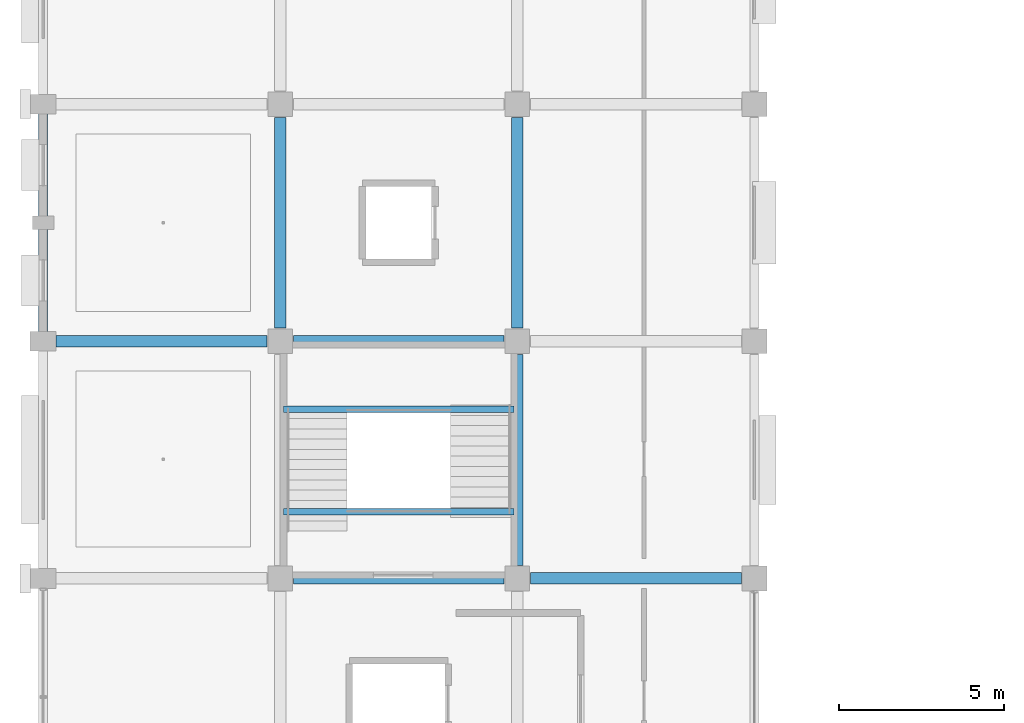
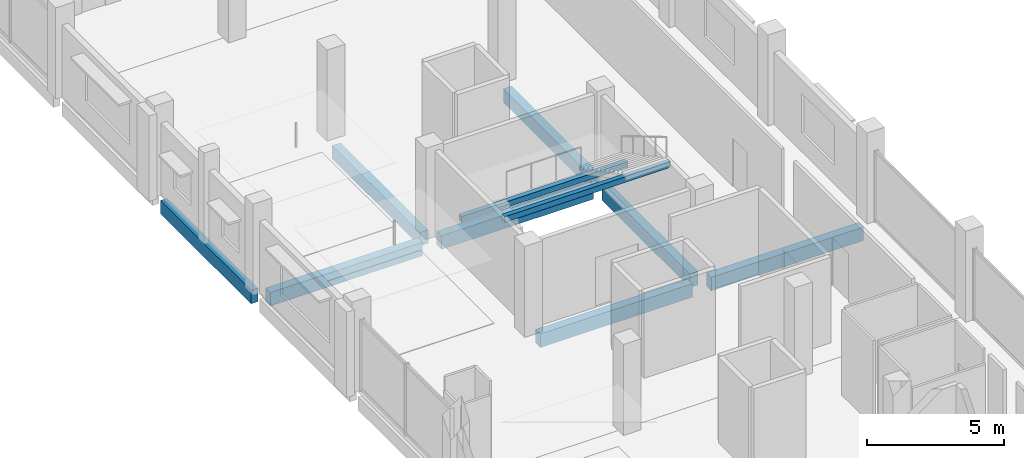
# One storey, part 12 of 91: 10 beams.
"""IFC4 building model written with IfcOpenShell, lengths in metres."""

from ifc_helpers import new_model, si_unit, direction, frame, origin, origin_2d, place, context, subcontext, project, spatial, rectangle, extrude, material, material_profile, profile_set, type_object, element, save


model = new_model("IFC4")

# Units and contexts
model_context = context("Model", 3, precision=1e-05, world=origin(), true_north=direction((0.0, 1.0)))
body_context = subcontext(model_context, "Body", "Model", "MODEL_VIEW")
ifc_project = project(units=[si_unit("LENGTHUNIT", "METRE"), si_unit("AREAUNIT", "SQUARE_METRE"), si_unit("VOLUMEUNIT", "CUBIC_METRE"), si_unit("PLANEANGLEUNIT", "RADIAN"), si_unit("MASSUNIT", "GRAM", prefix="KILO")], contexts=[model_context])

# Site, building, storey
site_placement = place(None, origin())
site = spatial("IfcSite", under=ifc_project, at=site_placement, CompositionType="ELEMENT")
building_placement = place(site_placement, origin())
building = spatial("IfcBuilding", under=site, at=building_placement, Name="Kangsadwip Square Police Headquarters", CompositionType="ELEMENT")
storey_placement = place(building_placement, frame((0.0, 0.0, 13.5)))
storey = spatial("IfcBuildingStorey", under=building, at=storey_placement, Name="L03", CompositionType="ELEMENT", Elevation=13.5)

# Beams
ifc_material_1 = material(Name="Concrete M35 (35 MPa)", Category="concrete")
ifc_material_profile_1 = material_profile(ifc_material_1, rectangle(XDim=0.35009765625, YDim=0.60009765625, at=origin_2d()), Name="RC BM 600X350")
ifc_profile_set_1 = profile_set([ifc_material_profile_1], Name="Concrete M35 (35 MPa)")
beam_type_1 = type_object("IfcBeamType", Name="RcBeam600x350", PredefinedType="BEAM", material=ifc_profile_set_1)
for number, where, z_axis, x_axis, name in (
    (1, (7.60009765625, 72.0, -0.5400390625), (1.0, 0.0, 0.0), (0.0, 1.0, 0.0), "Beam BM-L03-X-01-10"),
    (2, (14.800048828125, 72.0, -0.5400390625), (1.0, 0.0, 0.0), (0.0, 1.0, 0.0), "Beam BM-L03-X-02-10"),
):
    element("IfcBeam", number, at=place(storey_placement, frame(where, z_axis=z_axis, x_axis=x_axis)), inside=storey, type_object=beam_type_1, Name=name, PredefinedType="BEAM", context=body_context, shape_type="SweptSolid", body=[
        extrude(rectangle(XDim=0.35009765625, YDim=0.60009765625, at=origin_2d()), origin(), (0.0, 0.0, 1.0), 6.39990234375),
    ])
beam_1_placement = place(storey_placement, frame((0.39990234375, 79.199951171875, -0.5400390625), z_axis=(1.0, 0.0, 0.0), x_axis=(0.0, 1.0, 0.0)))
element("IfcBeam", 3, at=beam_1_placement, inside=storey, type_object=beam_type_1, Name="Beam BM-L03-X-00-11", PredefinedType="BEAM", context=body_context, shape_type="SweptSolid", body=[
    extrude(rectangle(XDim=0.35009765625, YDim=0.60009765625, at=origin_2d()), origin(), (0.0, 0.0, 1.0), 6.400146484375),
])
for number, where, z_axis, x_axis, name in (
    (4, (7.60009765625, 79.199951171875, -0.5400390625), (1.0, 0.0, 0.0), (0.0, 1.0, 0.0), "Beam BM-L03-X-01-11"),
    (5, (7.199951171875, 79.60009765625, -0.5400390625), (0.0, 1.0, 0.0), (-1.0, 0.0, 0.0), "Beam BM-L03-Y-01-11"),
):
    element("IfcBeam", number, at=place(storey_placement, frame(where, z_axis=z_axis, x_axis=x_axis)), inside=storey, type_object=beam_type_1, Name=name, PredefinedType="BEAM", context=body_context, shape_type="SweptSolid", body=[
        extrude(rectangle(XDim=0.35009765625, YDim=0.60009765625, at=origin_2d()), origin(), (0.0, 0.0, 1.0), 6.39990234375),
    ])
beam_2_placement = place(storey_placement, frame((14.39990234375, 72.39990234375, -0.5400390625), z_axis=(0.0, 1.0, 0.0), x_axis=(-1.0, 0.0, 0.0)))
element("IfcBeam", 6, at=beam_2_placement, inside=storey, type_object=beam_type_1, Name="Beam BM-L03-Y-02-10", PredefinedType="BEAM", context=body_context, shape_type="SweptSolid", body=[
    extrude(rectangle(XDim=0.35009765625, YDim=0.60009765625, at=origin_2d()), origin(), (0.0, 0.0, 1.0), 6.400146484375),
])
beam_3_placement = place(storey_placement, frame((14.39990234375, 79.60009765625, -0.5400390625), z_axis=(0.0, 1.0, 0.0), x_axis=(-1.0, 0.0, 0.0)))
element("IfcBeam", 7, at=beam_3_placement, inside=storey, type_object=beam_type_1, Name="Beam BM-L03-Y-02-11", PredefinedType="BEAM", context=body_context, shape_type="SweptSolid", body=[
    extrude(rectangle(XDim=0.35009765625, YDim=0.60009765625, at=origin_2d()), origin(), (0.0, 0.0, 1.0), 6.39990234375),
])
ifc_material_2 = material(Name="Concrete M30 (30 MPa)", Category="concrete")
ifc_material_profile_2 = material_profile(ifc_material_2, rectangle(XDim=0.199951171875, YDim=0.25, at=origin_2d()), Name="RC LNT 250X200")
ifc_profile_set_2 = profile_set([ifc_material_profile_2], Name="Concrete M30 (30 MPa)")
beam_type_2 = type_object("IfcBeamType", Name="RcLintel250x200", PredefinedType="LINTEL", material=ifc_profile_set_2)
for number, where, z_axis, x_axis, name in (
    (8, (7.300048828125, 77.139892578125, 1.801025390625), (1.0, 0.0, 0.0), (0.0, 1.0, 0.0), "Stair Carriage and Landing Beam BM-ST-L03-029"),
    (9, (7.300048828125, 74.02001953125, 3.68505859375), (1.0, 0.0, 0.0), (0.0, 1.0, 0.0), "Stair Carriage and Landing Beam BM-ST-L03-030"),
):
    element("IfcBeam", number, at=place(storey_placement, frame(where, z_axis=z_axis, x_axis=x_axis)), inside=storey, type_object=beam_type_2, Name=name, PredefinedType="BEAM", context=body_context, shape_type="SweptSolid", body=[
        extrude(rectangle(XDim=0.199951171875, YDim=0.25, at=origin_2d()), origin(), (0.0, 0.0, 1.0), 7.0),
    ])
ifc_material_3 = material(Name="Concrete M40 (40 MPa)", Category="concrete")
ifc_material_profile_3 = material_profile(ifc_material_3, rectangle(XDim=0.280029296875, YDim=0.60009765625, at=origin_2d()), Name="RC SPN 600X280")
ifc_profile_set_3 = profile_set([ifc_material_profile_3], Name="Concrete M40 (40 MPa)")
beam_type_3 = type_object("IfcBeamType", Name="RcSpandrel600x280", PredefinedType="SPANDREL", material=ifc_profile_set_3)
beam_4_placement = place(storey_placement, frame((0.0, 79.5, -0.5400390625), z_axis=(0.0, 1.0, 0.0), x_axis=(-1.0, 0.0, 0.0)))
element("IfcBeam", 10, at=beam_4_placement, inside=storey, type_object=beam_type_3, Name="Beam BM-L03-Y-00-11", PredefinedType="SPANDREL", context=body_context, shape_type="SweptSolid", body=[
    extrude(rectangle(XDim=0.280029296875, YDim=0.60009765625, at=origin_2d()), origin(), (0.0, 0.0, 1.0), 6.60009765625),
])

save(model, "model.ifc")
